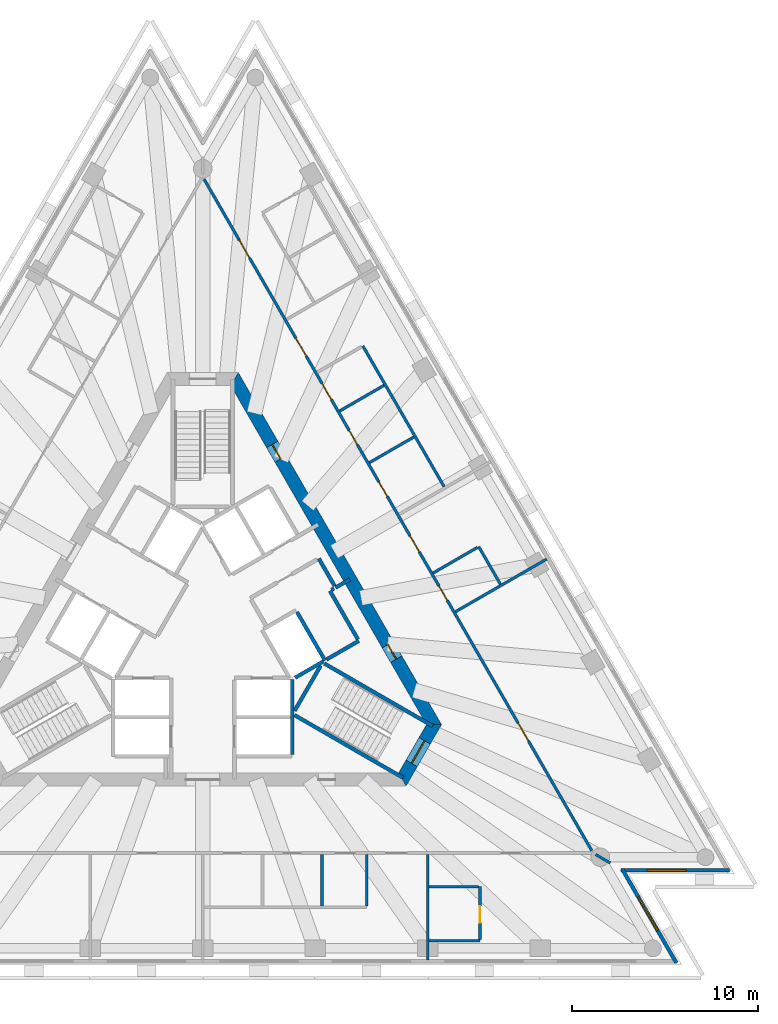
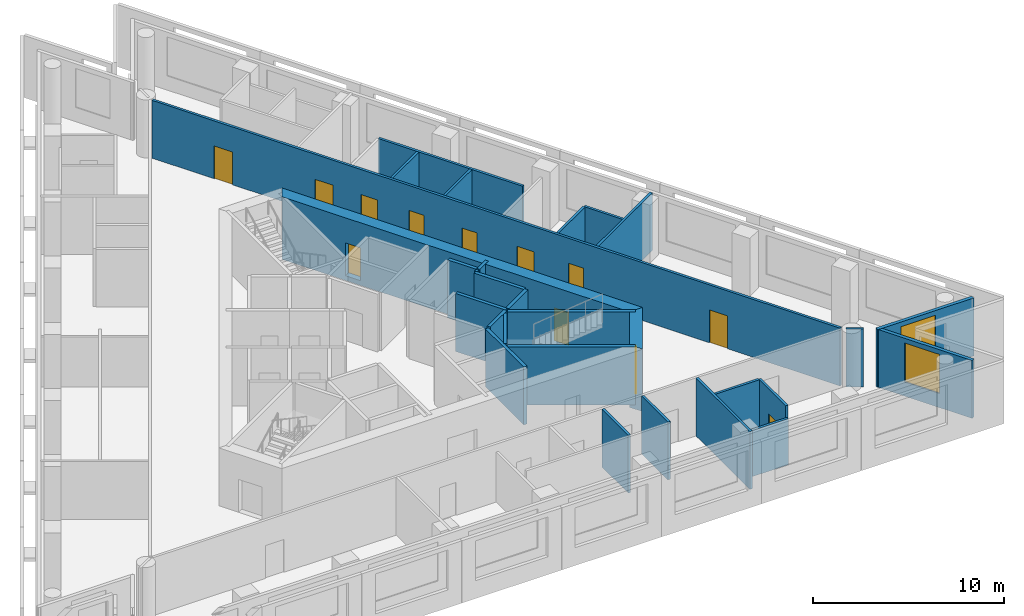
# One storey, part 5 of 9: 29 walls, 12 doors, 2 windows, 14 openings.
"""IFC4 building model written with IfcOpenShell, lengths in metres."""

import ifcopenshell
import ifcopenshell.guid

model = None  # the IFC model being written
_history = None  # IfcOwnerHistory: only IFC2X3 demands one
_inside = {}  # id of a spatial element -> (the spatial element, [elements in it])
_under = {}  # id of a project, library or spatial element -> (it, [spatial elements below it])
_declared = {}  # id of a project -> (the project, [libraries it declares])
_typed = {}  # id of a type object -> (the type object, [elements of that type])
_made_of = {}  # id of a material, layer set ... -> (it, [elements and type objects made of it])


def new_model(schema):
    """Start an empty IFC model of exactly this schema.

    Asked for "IFC4X3", IfcOpenShell would pick the latest addendum, in which some entities
    have other attributes; the version numbers below select the first issue.
    IFC2X3 requires an IfcOwnerHistory on every rooted entity: one is made here for all.
    """
    global model, _history
    if schema == "IFC4X3":
        model = ifcopenshell.file(schema_version=(4, 3, 0, 0))
    else:
        model = ifcopenshell.file(schema=schema)
    _inside.clear()
    _under.clear()
    _declared.clear()
    _typed.clear()
    _made_of.clear()
    _history = None
    if model.schema == "IFC2X3":
        org = make("IfcOrganization", Name="unknown")
        user = make(
            "IfcPersonAndOrganization",
            ThePerson=make("IfcPerson", FamilyName="unknown"),
            TheOrganization=org,
        )
        app = make(
            "IfcApplication",
            ApplicationDeveloper=org,
            Version="unknown",
            ApplicationFullName="unknown",
            ApplicationIdentifier="unknown",
        )
        _history = make(
            "IfcOwnerHistory",
            OwningUser=user,
            OwningApplication=app,
            ChangeAction="ADDED",
            CreationDate=0,
        )
    return model


def make(cls, **values):
    """One entity of the class cls with the attributes given. An attribute that is None is left unset."""
    return model.create_entity(
        cls, **{name: value for name, value in values.items() if value is not None}
    )


def rooted(cls, **values):
    """An entity with a GlobalId (a new one), such as an element, a storey or a relation."""
    return make(cls, GlobalId=ifcopenshell.guid.new(), OwnerHistory=_history, **values)


def si_unit(unit_type, name, prefix=None):
    """IfcSIUnit, for example si_unit("LENGTHUNIT", "METRE", prefix="MILLI")."""
    return make("IfcSIUnit", UnitType=unit_type, Prefix=prefix, Name=name)


def assignment(units):
    """IfcUnitAssignment: the units of a project."""
    return None if units is None else make("IfcUnitAssignment", Units=units)


def point(xyz):
    """IfcCartesianPoint."""
    return None if xyz is None else make("IfcCartesianPoint", Coordinates=xyz)


def direction(xyz):
    """IfcDirection."""
    return None if xyz is None else make("IfcDirection", DirectionRatios=xyz)


def frame(location, z_axis=None, x_axis=None):
    """IfcAxis2Placement3D, a coordinate frame: its origin and axes. An axis left out is left unset."""
    return make(
        "IfcAxis2Placement3D",
        Location=point(location),
        Axis=direction(z_axis),
        RefDirection=direction(x_axis),
    )


def frame_2d(location, x_axis=None):
    """IfcAxis2Placement2D, a coordinate frame in the plane: its origin and x axis."""
    return make(
        "IfcAxis2Placement2D", Location=point(location), RefDirection=direction(x_axis)
    )


def origin():
    """The frame at (0, 0, 0) with its axes left unset."""
    return frame((0.0, 0.0, 0.0))


def place(relative_to, where):
    """IfcLocalPlacement: puts the frame where relative to a parent placement (None: the world)."""
    return make(
        "IfcLocalPlacement", PlacementRelTo=relative_to, RelativePlacement=where
    )


def context(
    kind, dimensions, precision=None, world=None, true_north=None, identifier=None
):
    """IfcGeometricRepresentationContext, for example the 3D "Model" context."""
    return make(
        "IfcGeometricRepresentationContext",
        ContextIdentifier=identifier,
        ContextType=kind,
        CoordinateSpaceDimension=dimensions,
        Precision=precision,
        WorldCoordinateSystem=world,
        TrueNorth=true_north,
    )


def subcontext(parent, identifier, kind, view, scale=None):
    """IfcGeometricRepresentationSubContext, for example "Body" below "Model"."""
    return make(
        "IfcGeometricRepresentationSubContext",
        ContextIdentifier=identifier,
        ContextType=kind,
        ParentContext=parent,
        TargetScale=scale,
        TargetView=view,
    )


def project(units=None, contexts=None):
    """IfcProject with its units and contexts."""
    return rooted(
        "IfcProject",
        Name="project",
        RepresentationContexts=contexts,
        UnitsInContext=assignment(units),
    )


def spatial(cls, under=None, at=None, **own):
    """A site, building, storey or space (cls), placed at a placement, below another one or the project."""
    s = rooted(cls, ObjectPlacement=at, **own)
    if under is not None:
        _under.setdefault(under.id(), (under, []))[1].append(s)
    return s


def polyline(points):
    """IfcPolyline through the points."""
    return make("IfcPolyline", Points=[point(p) for p in points])


def profile(cls, at=None, kind="AREA", **sizes):
    """A parametric profile (cls). Its sizes go by their IFC names, for example OverallWidth=200.0."""
    return make(cls, ProfileType=kind, Position=at, **sizes)


def rectangle(**sizes):
    """IfcRectangleProfileDef."""
    return profile("IfcRectangleProfileDef", **sizes)


def outline(outer, holes=None, kind="AREA"):
    """IfcArbitraryClosedProfileDef: a profile drawn as a closed curve; with holes, ...WithVoids."""
    if holes is None:
        return make("IfcArbitraryClosedProfileDef", ProfileType=kind, OuterCurve=outer)
    return make(
        "IfcArbitraryProfileDefWithVoids",
        ProfileType=kind,
        OuterCurve=outer,
        InnerCurves=holes,
    )


def extrude(swept, where, along, depth):
    """IfcExtrudedAreaSolid: the profile swept, set in the frame where, extruded along a direction by depth."""
    return make(
        "IfcExtrudedAreaSolid",
        SweptArea=swept,
        Position=where,
        ExtrudedDirection=direction(along),
        Depth=depth,
    )


def shape(context_of_items, identifier, shape_type, items):
    """IfcShapeRepresentation: the items that make up one representation, for example the "Body"."""
    return make(
        "IfcShapeRepresentation",
        ContextOfItems=context_of_items,
        RepresentationIdentifier=identifier,
        RepresentationType=shape_type,
        Items=items,
    )


def material(Name=None, Category=None):
    """IfcMaterial."""
    return make("IfcMaterial", Name=Name, Category=Category)


def layer(
    of_material, thickness, ventilated=None, Name=None, Category=None, Priority=None
):
    """IfcMaterialLayer: one layer of a wall or slab, of a material (None: an air gap)."""
    return make(
        "IfcMaterialLayer",
        Material=of_material,
        LayerThickness=thickness,
        IsVentilated=ventilated,
        Name=Name,
        Category=Category,
        Priority=Priority,
    )


def layer_set(layers, Name=None):
    """IfcMaterialLayerSet."""
    return make("IfcMaterialLayerSet", MaterialLayers=layers, LayerSetName=Name)


def layer_usage(for_layer_set, set_direction, sense, offset, extent=None):
    """IfcMaterialLayerSetUsage: how a layer set lies in its element."""
    return make(
        "IfcMaterialLayerSetUsage",
        ForLayerSet=for_layer_set,
        LayerSetDirection=set_direction,
        DirectionSense=sense,
        OffsetFromReferenceLine=offset,
        ReferenceExtent=extent,
    )


def made_of(thing, what):
    """Note that an element or type object is made of a material, layer set ...; save() writes the relation."""
    if what is not None:
        _made_of.setdefault(what.id(), (what, []))[1].append(thing)
    return thing


def type_object(cls, material=None, **own):
    """A type object (cls), such as IfcWallType, which elements share."""
    return made_of(rooted(cls, **own), material)


def element(
    cls,
    number,
    at=None,
    inside=None,
    cuts=None,
    type_object=None,
    material=None,
    context=None,
    identifier="Body",
    shape_type=None,
    held_by="IfcProductDefinitionShape",
    body=None,
    shapes=None,
    **own,
):
    """One element of the class cls, such as IfcWall. Its Tag is "e" and its number.

    at: its placement. inside: the storey or other place that contains it. cuts: it is an
    opening in that element (IfcRelVoidsElement). A single representation is given by context,
    identifier, shape_type and body (its items); several are given by shapes. held_by: the class
    of the entity that holds the representations. save() writes the other relations.
    """
    e = rooted(cls, Tag="e%d" % number, ObjectPlacement=at, **own)
    if body is not None:
        shapes = [shape(context, identifier, shape_type, body)]
    if shapes is not None:
        e.Representation = make(held_by, Representations=shapes)
    if inside is not None:
        _inside.setdefault(inside.id(), (inside, []))[1].append(e)
    if cuts is not None:
        rooted(
            "IfcRelVoidsElement", RelatingBuildingElement=cuts, RelatedOpeningElement=e
        )
    if type_object is not None:
        _typed.setdefault(type_object.id(), (type_object, []))[1].append(e)
    return made_of(e, material)


def fill(opening, filler):
    """IfcRelFillsElement: the door or window that sits in an opening."""
    return rooted(
        "IfcRelFillsElement",
        RelatingOpeningElement=opening,
        RelatedBuildingElement=filler,
    )


def aggregate(whole, parts):
    """IfcRelAggregates: a whole, such as a stair, and the parts it consists of."""
    return rooted("IfcRelAggregates", RelatingObject=whole, RelatedObjects=parts)


def save(model, path):
    """Write the relations noted so far, then the file.

    IfcRelAggregates (storeys below a building ...), IfcRelContainedInSpatialStructure (elements
    in a storey), IfcRelDefinesByType, IfcRelAssociatesMaterial and IfcRelDeclares: one each for
    every whole, place, type object, material and project.
    """
    for whole, parts in _under.values():
        aggregate(whole, parts)
    for where, things in _inside.values():
        rooted(
            "IfcRelContainedInSpatialStructure",
            RelatedElements=things,
            RelatingStructure=where,
        )
    for kind, things in _typed.values():
        rooted("IfcRelDefinesByType", RelatedObjects=things, RelatingType=kind)
    for what, things in _made_of.values():
        rooted("IfcRelAssociatesMaterial", RelatedObjects=things, RelatingMaterial=what)
    for by, libraries in _declared.values():
        rooted("IfcRelDeclares", RelatingContext=by, RelatedDefinitions=libraries)
    model.write(path)


model = new_model("IFC4")

# Units and contexts
model_context = context("Model", 3, precision=1e-05, world=origin(), true_north=direction((0.0, 1.0)))
body_context = subcontext(model_context, "Body", "Model", "MODEL_VIEW")
ifc_project = project(units=[si_unit("LENGTHUNIT", "METRE"), si_unit("AREAUNIT", "SQUARE_METRE"), si_unit("VOLUMEUNIT", "CUBIC_METRE"), si_unit("PLANEANGLEUNIT", "RADIAN"), si_unit("MASSUNIT", "GRAM", prefix="KILO")], contexts=[model_context])

# Site, building, storey
site_placement = place(None, origin())
site = spatial("IfcSite", under=ifc_project, at=site_placement, CompositionType="ELEMENT")
building_placement = place(site_placement, origin())
building = spatial("IfcBuilding", under=site, at=building_placement, Name="Triada Interchange Tower", CompositionType="ELEMENT")
storey_placement = place(building_placement, frame((0.0, 0.0, 215.300048828125)))
storey = spatial("IfcBuildingStorey", under=building, at=storey_placement, Name="L50", CompositionType="ELEMENT", Elevation=215.300048828125)

# Walls
ifc_material_1 = material(Name="Concrete C30/37", Category="concrete")
ifc_layer_1 = layer(ifc_material_1, 0.199951171875)
ifc_layer_set_1 = layer_set([ifc_layer_1], Name="CORE WALL 200 EI 120")
wall_type_1 = type_object("IfcWallType", Name="CORE WALL 200 EI 120", PredefinedType="SOLIDWALL", material=ifc_layer_set_1)
wall_1_placement = place(storey_placement, frame((4.800048828125, -6.800048828125, 0.0), z_axis=(0.0, 0.0, 1.0), x_axis=(0.0, 1.0, 0.0)))
element("IfcWall", 1, at=wall_1_placement, inside=storey, type_object=wall_type_1, Name="Wall L50 56", PredefinedType="SOLIDWALL", context=body_context, shape_type="SweptSolid", body=[
    extrude(rectangle(XDim=4.031005859375, YDim=0.199951171875, at=frame_2d((2.015625, 0.0))), origin(), (0.0, 0.0, 1.0), 3.699951171875),
])
wall_2_placement = place(storey_placement, frame((7.12890625, 2.153076171875, 0.0), z_axis=(0.0, 0.0, 1.0), x_axis=(0.866083962871, 0.499898558967, 0.0)))
element("IfcWall", 2, at=wall_2_placement, inside=storey, type_object=wall_type_1, Name="Wall L50 58", PredefinedType="SOLIDWALL", context=body_context, shape_type="SweptSolid", body=[
    extrude(rectangle(XDim=0.880126953125, YDim=0.199951171875, at=frame_2d((0.43994140625, 0.0))), origin(), (0.0, 0.0, 1.0), 3.699951171875),
])
wall_3_placement = place(storey_placement, frame((5.056884765625, 0.841064453125, 0.0), z_axis=(0.0, 0.0, 1.0), x_axis=(0.499990139034, -0.866031096941, 0.0)))
element("IfcWall", 3, at=wall_3_placement, inside=storey, type_object=wall_type_1, Name="Wall L50 61", PredefinedType="SOLIDWALL", context=body_context, shape_type="SweptSolid", body=[
    extrude(rectangle(XDim=3.0, YDim=0.199951171875, at=frame_2d((1.5, 0.0))), origin(), (0.0, 0.0, 1.0), 3.699951171875),
])
wall_4_placement = place(storey_placement, frame((4.962890625, -2.677001953125, 0.0), z_axis=(0.0, 0.0, 1.0), x_axis=(0.866024383922, 0.50000176645, 0.0)))
element("IfcWall", 4, at=wall_4_placement, inside=storey, type_object=wall_type_1, Name="Wall L50 62", PredefinedType="SOLIDWALL", context=body_context, shape_type="SweptSolid", body=[
    extrude(rectangle(XDim=1.740234375, YDim=0.199951171875, at=frame_2d((0.8701171875, 0.0))), origin(), (0.0, 0.0, 1.0), 3.699951171875),
])
wall_5_placement = place(storey_placement, frame((6.22900390625, 3.7119140625, 0.0), z_axis=(0.0, 0.0, 1.0), x_axis=(0.499875724984, -0.86609714211, 0.0)))
element("IfcWall", 5, at=wall_5_placement, inside=storey, type_object=wall_type_1, Name="Wall L50 63", PredefinedType="SOLIDWALL", context=body_context, shape_type="SweptSolid", body=[
    extrude(rectangle(XDim=1.70068359375, YDim=0.199951171875, at=frame_2d((0.850341796875, 0.0))), origin(), (0.0, 0.0, 1.0), 3.699951171875),
])
ifc_layer_2 = layer(ifc_material_1, 0.199951171875)
ifc_layer_set_2 = layer_set([ifc_layer_2], Name="CORE WALL 200 EI 90")
wall_type_2 = type_object("IfcWallType", Name="CORE WALL 200 EI 90", PredefinedType="SOLIDWALL", material=ifc_layer_set_2)
wall_6_placement = place(storey_placement, frame((6.64208984375, -1.7080078125, 0.0), z_axis=(0.0, 0.0, 1.0), x_axis=(0.866043441391, 0.499968756647, 0.0)))
element("IfcWall", 6, at=wall_6_placement, inside=storey, type_object=wall_type_2, Name="Wall L50 83", PredefinedType="SOLIDWALL", context=body_context, shape_type="SweptSolid", body=[
    extrude(rectangle(XDim=2.002197265625, YDim=0.199951171875, at=frame_2d((1.0009765625, 0.0))), origin(), (0.0, 0.0, 1.0), 3.699951171875),
])
wall_7_placement = place(storey_placement, frame((6.825927734375, 1.97802734375, 0.0), z_axis=(0.0, 0.0, 1.0), x_axis=(0.499990139034, -0.866031096941, 0.0)))
element("IfcWall", 7, at=wall_7_placement, inside=storey, type_object=wall_type_2, Name="Wall L50 84", PredefinedType="SOLIDWALL", context=body_context, shape_type="SweptSolid", body=[
    extrude(rectangle(XDim=3.0, YDim=0.199951171875, at=frame_2d((1.5, 0.0))), origin(), (0.0, 0.0, 1.0), 3.699951171875),
])
wall_8_placement = place(storey_placement, frame((6.912109375, 2.028076171875, 0.0), z_axis=(0.0, 0.0, 1.0), x_axis=(0.866559367082, 0.499074005857, 0.0)))
element("IfcWall", 8, at=wall_8_placement, inside=storey, type_object=wall_type_2, Name="Wall L50 85", PredefinedType="SOLIDWALL", context=body_context, shape_type="SweptSolid", body=[
    extrude(rectangle(XDim=0.152099609375, YDim=0.199951171875, at=frame_2d((0.076171875, 0.0))), origin(), (0.0, 0.0, 1.0), 3.699951171875),
])
ifc_layer_3 = layer(ifc_material_1, 0.199951171875)
ifc_layer_set_3 = layer_set([ifc_layer_3], Name="CORE WALL 200 REI 240")
wall_type_3 = type_object("IfcWallType", Name="CORE WALL 200 REI 240", PredefinedType="SOLIDWALL", material=ifc_layer_set_3)
wall_9_placement = place(storey_placement, frame((4.928955078125, -4.4619140625, 0.0), z_axis=(0.0, 0.0, 1.0), x_axis=(0.500200581029, 0.865909567298, 0.0)))
element("IfcWall", 9, at=wall_9_placement, inside=storey, type_object=wall_type_3, Name="Wall L50 92", PredefinedType="SOLIDWALL", context=body_context, shape_type="SweptSolid", body=[
    extrude(rectangle(XDim=2.799072265625, YDim=0.199951171875, at=frame_2d((1.3994140625, 0.0))), origin(), (0.0, 0.0, 1.0), 3.699951171875),
])
wall_10_placement = place(storey_placement, frame((6.529052734375, -1.922119140625, 0.0), z_axis=(0.0, 0.0, 1.0), x_axis=(0.866046323291, -0.499963764601, 0.0)))
element("IfcWall", 10, at=wall_10_placement, inside=storey, type_object=wall_type_3, Name="Wall L50 93", PredefinedType="SOLIDWALL", context=body_context, shape_type="SweptSolid", body=[
    extrude(rectangle(XDim=6.71435546875, YDim=0.199951171875, at=frame_2d((3.357177734375, 0.0))), origin(), (0.0, 0.0, 1.0), 3.699951171875),
])
wall_11_placement = place(storey_placement, frame((4.928955078125, -4.693115234375, 0.0), z_axis=(0.0, 0.0, 1.0), x_axis=(0.865983344943, -0.500072840975, 0.0)))
element("IfcWall", 11, at=wall_11_placement, inside=storey, type_object=wall_type_3, Name="Wall L50 94", PredefinedType="SOLIDWALL", context=body_context, shape_type="SweptSolid", body=[
    extrude(rectangle(XDim=6.71484375, YDim=0.199951171875, at=frame_2d((3.357421875, 0.0))), origin(), (0.0, 0.0, 1.0), 3.699951171875),
])

# Wall, opening, door
ifc_material_2 = material(Name="Concrete C50/60", Category="concrete")
ifc_layer_4 = layer(ifc_material_2, 0.699951171875)
ifc_layer_set_4 = layer_set([ifc_layer_4], Name="Core wall C 700")
wall_type_4 = type_object("IfcWallType", Name="Core wall C 700", PredefinedType="SHEAR", material=ifc_layer_set_4)
wall_12_placement = place(storey_placement, frame((10.7099609375, -8.14990234375, -0.300048828125), z_axis=(0.0, 0.0, 1.0), x_axis=(0.49999337185, 0.866029230515, 0.0)))
wall_12 = element("IfcWall", 12, at=wall_12_placement, inside=storey, type_object=wall_type_4, Name="Core wall WC05 L50", PredefinedType="SHEAR", context=body_context, shape_type="SweptSolid", body=[
    extrude(outline(polyline([(-0.201904296875, -0.35009765625), (1.703125, -0.35009765625), (3.60791015625, -0.35009765625), (3.2041015625, 0.35009765625), (1.703125, 0.35009765625), (0.201904296875, 0.35009765625), (-0.201904296875, -0.35009765625)])), origin(), (0.0, 0.0, 1.0), 4.0),
])
opening_1_placement = place(wall_12_placement, frame((1.0029296875, 0.0, 0.300048828125)))
opening_1 = element("IfcOpeningElement", 13, at=opening_1_placement, cuts=wall_12, Name="Opening D50-41", PredefinedType="OPENING", context=body_context, shape_type="SweptSolid", body=[
    extrude(rectangle(XDim=1.39990234375, YDim=2.10009765625, at=frame_2d((0.699951171875, 1.050048828125))), frame((0.0, 0.360107421875, 0.0), z_axis=(0.0, -1.0, 0.0), x_axis=(1.0, 0.0, 0.0)), (0.0, 0.0, 1.0), 0.72021484375),
])
ifc_material_3 = material(Name="Steel S235 door leaf", Category="steel")
door_type_1 = type_object("IfcDoorType", Name="STAIR DOOR 1400 EI2 90-C5S200", OperationType="DOUBLE_DOOR_SINGLE_SWING", PredefinedType="DOOR", material=ifc_material_3)
door_1_placement = place(opening_1_placement, origin())
door_1 = element("IfcDoor", 14, at=door_1_placement, inside=storey, type_object=door_type_1, Name="Door D50-41 L50", OperationType="DOUBLE_DOOR_SINGLE_SWING", OverallHeight=2.10009765625, OverallWidth=1.39990234375, PredefinedType="DOOR", context=body_context, shape_type="SweptSolid", body=[
    extrude(rectangle(XDim=1.39990234375, YDim=2.10009765625, at=frame_2d((0.699951171875, 1.050048828125))), frame((0.0, 0.02490234375, 0.0), z_axis=(0.0, -1.0, 0.0), x_axis=(1.0, 0.0, 0.0)), (0.0, 0.0, 1.0), 0.050048828125),
])
fill(opening_1, door_1)

# Wall, openings, doors
wall_13_placement = place(storey_placement, frame((12.4130859375, -5.199951171875, -0.300048828125), z_axis=(0.0, 0.0, 1.0), x_axis=(-0.500011533395, 0.866018744874, 0.0)))
wall_13 = element("IfcWall", 15, at=wall_13_placement, inside=storey, type_object=wall_type_4, Name="Core wall WC06 L50", PredefinedType="SHEAR", context=body_context, shape_type="SweptSolid", body=[
    extrude(outline(polyline([(-0.201904296875, -0.35009765625), (1.781982421875, -0.35009765625), (3.76611328125, -0.35009765625), (5.75, -0.35009765625), (7.734130859375, -0.35009765625), (9.718017578125, -0.35009765625), (11.7021484375, -0.35009765625), (13.68603515625, -0.35009765625), (15.670166015625, -0.35009765625), (17.654052734375, -0.35009765625), (19.63818359375, -0.35009765625), (21.6220703125, -0.35009765625), (21.218017578125, 0.35009765625), (19.307373046875, 0.35009765625), (17.39697265625, 0.35009765625), (15.486328125, 0.35009765625), (13.57568359375, 0.35009765625), (11.665283203125, 0.35009765625), (9.754638671875, 0.35009765625), (7.84423828125, 0.35009765625), (5.93359375, 0.35009765625), (4.02294921875, 0.35009765625), (2.112548828125, 0.35009765625), (0.201904296875, 0.35009765625), (-0.201904296875, -0.35009765625)])), origin(), (0.0, 0.0, 1.0), 4.0),
])
opening_2_placement = place(wall_13_placement, frame((4.054931640625, 0.0, 0.300048828125)))
opening_2 = element("IfcOpeningElement", 16, at=opening_2_placement, cuts=wall_13, Name="Opening D50-45", PredefinedType="OPENING", context=body_context, shape_type="SweptSolid", body=[
    extrude(rectangle(XDim=0.89990234375, YDim=2.10009765625, at=frame_2d((0.449951171875, 1.050048828125))), frame((0.0, 0.360107421875, 0.0), z_axis=(0.0, -1.0, 0.0), x_axis=(1.0, 0.0, 0.0)), (0.0, 0.0, 1.0), 0.72021484375),
])
opening_3_placement = place(wall_13_placement, frame((16.465087890625, 0.0, 0.300048828125)))
opening_3 = element("IfcOpeningElement", 17, at=opening_3_placement, cuts=wall_13, Name="Opening D50-47", PredefinedType="OPENING", context=body_context, shape_type="SweptSolid", body=[
    extrude(rectangle(XDim=0.89990234375, YDim=2.10009765625, at=frame_2d((0.449951171875, 1.050048828125))), frame((0.0, 0.360107421875, 0.0), z_axis=(0.0, -1.0, 0.0), x_axis=(1.0, 0.0, 0.0)), (0.0, 0.0, 1.0), 0.72021484375),
])
door_type_2 = type_object("IfcDoorType", Name="RISER ACCESS DOOR 900 EI2 45-C5S200", OperationType="NOTDEFINED", PredefinedType="DOOR", material=ifc_material_3)
door_2_placement = place(opening_3_placement, origin())
door_2 = element("IfcDoor", 18, at=door_2_placement, inside=storey, type_object=door_type_2, Name="Door D50-47 L50", OperationType="SINGLE_SWING_RIGHT", OverallHeight=2.10009765625, OverallWidth=0.89990234375, PredefinedType="DOOR", context=body_context, shape_type="SweptSolid", body=[
    extrude(rectangle(XDim=0.89990234375, YDim=2.10009765625, at=frame_2d((0.449951171875, 1.050048828125))), frame((0.0, 0.02490234375, 0.0), z_axis=(0.0, -1.0, 0.0), x_axis=(1.0, 0.0, 0.0)), (0.0, 0.0, 1.0), 0.050048828125),
])
fill(opening_3, door_2)
door_type_3 = type_object("IfcDoorType", Name="SERVICE DOOR 900 EI2 45-C5S200", OperationType="NOTDEFINED", PredefinedType="DOOR", material=ifc_material_3)
door_3_placement = place(opening_2_placement, origin())
door_3 = element("IfcDoor", 19, at=door_3_placement, inside=storey, type_object=door_type_3, Name="Door D50-45 L50", OperationType="SINGLE_SWING_RIGHT", OverallHeight=2.10009765625, OverallWidth=0.89990234375, PredefinedType="DOOR", context=body_context, shape_type="SweptSolid", body=[
    extrude(rectangle(XDim=0.89990234375, YDim=2.10009765625, at=frame_2d((0.449951171875, 1.050048828125))), frame((0.0, 0.02490234375, 0.0), z_axis=(0.0, -1.0, 0.0), x_axis=(1.0, 0.0, 0.0)), (0.0, 0.0, 1.0), 0.050048828125),
])
fill(opening_2, door_3)

# Wall, opening, window
ifc_material_4 = material(Name="Cement board")
ifc_layer_5 = layer(ifc_material_4, 0.02001953125, Name="Cement board cladding")
ifc_material_5 = material(Name="Sheathing board")
ifc_layer_6 = layer(ifc_material_5, 0.014892578125, Name="Sheathing board")
ifc_material_6 = material(Name="Mineral wool")
ifc_layer_7 = layer(ifc_material_6, 0.14990234375, Name="Mineral wool between steel studs")
ifc_material_7 = material(Name="Gypsum board")
ifc_layer_8 = layer(ifc_material_7, 0.014892578125, Name="Plasterboard lining")
ifc_layer_set_5 = layer_set([ifc_layer_5, ifc_layer_6, ifc_layer_7, ifc_layer_8], Name="External wall 200")
ifc_layer_usage = layer_usage(ifc_layer_set_5, "AXIS2", "POSITIVE", -0.10009765625)
wall_type_5 = type_object("IfcWallType", Name="External wall 200", PredefinedType="ELEMENTEDWALL", material=ifc_layer_set_5)
wall_14_placement = place(storey_placement, frame((25.419921875, -17.988037109375, 0.0), z_axis=(0.0, 0.0, 1.0), x_axis=(-0.499910499212, 0.866077070922, 0.0)))
wall_14 = element("IfcWall", 20, at=wall_14_placement, inside=storey, type_object=wall_type_5, material=ifc_layer_usage, Name="External wall L50 SE-1", PredefinedType="ELEMENTEDWALL", context=body_context, shape_type="SweptSolid", body=[
    extrude(rectangle(XDim=5.806640625, YDim=0.199951171875, at=frame_2d((2.9033203125, 0.0))), origin(), (0.0, 0.0, 1.0), 3.699951171875),
])
opening_4_placement = place(wall_14_placement, frame((1.989990234375, 0.0, 0.89990234375)))
opening_4 = element("IfcOpeningElement", 21, at=opening_4_placement, cuts=wall_14, Name="Opening WC19", PredefinedType="OPENING", context=body_context, shape_type="SweptSolid", body=[
    extrude(rectangle(XDim=2.10009765625, YDim=2.5, at=frame_2d((1.050048828125, 1.25))), frame((0.0, 0.10986328125, 0.0), z_axis=(0.0, -1.0, 0.0), x_axis=(1.0, 0.0, 0.0)), (0.0, 0.0, 1.0), 0.219970703125),
])
ifc_material_8 = material(Name="Double glazed aluminium window", Category="aluminium")
window_type = type_object("IfcWindowType", Name="Ribbon window C pocket", PartitioningType="SINGLE_PANEL", PredefinedType="WINDOW", material=ifc_material_8)
window_1_placement = place(opening_4_placement, origin())
window_1 = element("IfcWindow", 22, at=window_1_placement, inside=storey, type_object=window_type, Name="Window L50 SE-1 1", OverallHeight=2.5, OverallWidth=2.10009765625, PartitioningType="SINGLE_PANEL", PredefinedType="WINDOW", context=body_context, shape_type="SweptSolid", body=[
    extrude(rectangle(XDim=2.10009765625, YDim=2.5, at=frame_2d((1.050048828125, 1.25))), frame((0.0, 0.030029296875, 0.0), z_axis=(0.0, -1.0, 0.0), x_axis=(1.0, 0.0, 0.0)), (0.0, 0.0, 1.0), 0.06005859375),
])
fill(opening_4, window_1)

wall_15_placement = place(storey_placement, frame((22.4619140625, -13.02001953125, 0.0), z_axis=(0.0, 0.0, 1.0), x_axis=(1.0, 0.0, 0.0)))
wall_15 = element("IfcWall", 23, at=wall_15_placement, inside=storey, type_object=wall_type_5, material=ifc_layer_usage, Name="External wall L50 SE-2", PredefinedType="ELEMENTEDWALL", context=body_context, shape_type="SweptSolid", body=[
    extrude(rectangle(XDim=5.80615234375, YDim=0.199951171875, at=frame_2d((2.903076171875, 0.0))), origin(), (0.0, 0.0, 1.0), 3.699951171875),
])
opening_5_placement = place(wall_15_placement, frame((1.389892578125, 0.0, 0.89990234375)))
opening_5 = element("IfcOpeningElement", 24, at=opening_5_placement, cuts=wall_15, Name="Opening WC20", PredefinedType="OPENING", context=body_context, shape_type="SweptSolid", body=[
    extrude(rectangle(XDim=2.10009765625, YDim=2.5, at=frame_2d((1.050048828125, 1.25))), frame((0.0, 0.10986328125, 0.0), z_axis=(0.0, -1.0, 0.0), x_axis=(1.0, 0.0, 0.0)), (0.0, 0.0, 1.0), 0.219970703125),
])
window_2_placement = place(opening_5_placement, origin())
window_2 = element("IfcWindow", 25, at=window_2_placement, inside=storey, type_object=window_type, Name="Window L50 SE-2 1", OverallHeight=2.5, OverallWidth=2.10009765625, PartitioningType="SINGLE_PANEL", PredefinedType="WINDOW", context=body_context, shape_type="SweptSolid", body=[
    extrude(rectangle(XDim=2.10009765625, YDim=2.5, at=frame_2d((1.050048828125, 1.25))), frame((0.0, 0.030029296875, 0.0), z_axis=(0.0, -1.0, 0.0), x_axis=(1.0, 0.0, 0.0)), (0.0, 0.0, 1.0), 0.06005859375),
])
fill(opening_5, window_2)

# Wall
ifc_material_9 = material(Name="Gypsum board partition")
ifc_layer_9 = layer(ifc_material_9, 0.14990234375)
ifc_layer_set_6 = layer_set([ifc_layer_9], Name="PARTITION 150 EI 180")
wall_type_6 = type_object("IfcWallType", Name="PARTITION 150 EI 180", PredefinedType="PARTITIONING", material=ifc_layer_set_6)
wall_16_placement = place(storey_placement, frame((21.0869140625, -12.175048828125, 0.0), z_axis=(0.0, 0.0, 1.0), x_axis=(0.866372959518, -0.499397532049, 0.0)))
element("IfcWall", 26, at=wall_16_placement, inside=storey, type_object=wall_type_6, Name="Wall L50 7", PredefinedType="PARTITIONING", context=body_context, shape_type="SweptSolid", body=[
    extrude(rectangle(XDim=0.91064453125, YDim=0.14990234375, at=frame_2d((0.455322265625, 0.0))), origin(), (0.0, 0.0, 1.0), 3.699951171875),
])

# Wall, openings, doors
wall_17_placement = place(storey_placement, frame((0.074951171875, 24.070068359375, 0.0), z_axis=(0.0, 0.0, 1.0), x_axis=(0.500006834213, -0.866021458014, 0.0)))
wall_17 = element("IfcWall", 27, at=wall_17_placement, inside=storey, type_object=wall_type_6, Name="Wall L50 16", PredefinedType="PARTITIONING", context=body_context, shape_type="SweptSolid", body=[
    extrude(rectangle(XDim=41.61572265625, YDim=0.14990234375, at=frame_2d((20.807861328125, 0.0))), origin(), (0.0, 0.0, 1.0), 3.699951171875),
])
opening_6_placement = place(wall_17_placement, frame((33.715087890625, 0.0, 0.0)))
opening_6 = element("IfcOpeningElement", 28, at=opening_6_placement, cuts=wall_17, Name="Opening D50-19", PredefinedType="OPENING", context=body_context, shape_type="SweptSolid", body=[
    extrude(rectangle(XDim=1.10009765625, YDim=2.10009765625, at=frame_2d((0.550048828125, 1.050048828125))), frame((0.0, 0.0849609375, 0.0), z_axis=(0.0, -1.0, 0.0), x_axis=(1.0, 0.0, 0.0)), (0.0, 0.0, 1.0), 0.169921875),
])
opening_7_placement = place(wall_17_placement, frame((22.097900390625, 0.0, 0.0)))
opening_7 = element("IfcOpeningElement", 29, at=opening_7_placement, cuts=wall_17, Name="Opening D50-20", PredefinedType="OPENING", context=body_context, shape_type="SweptSolid", body=[
    extrude(rectangle(XDim=1.0, YDim=2.10009765625, at=frame_2d((0.5, 1.050048828125))), frame((0.0, 0.0849609375, 0.0), z_axis=(0.0, -1.0, 0.0), x_axis=(1.0, 0.0, 0.0)), (0.0, 0.0, 1.0), 0.169921875),
])
opening_8_placement = place(wall_17_placement, frame((25.197998046875, 0.0, 0.0)))
opening_8 = element("IfcOpeningElement", 30, at=opening_8_placement, cuts=wall_17, Name="Opening D50-21", PredefinedType="OPENING", context=body_context, shape_type="SweptSolid", body=[
    extrude(rectangle(XDim=0.89990234375, YDim=2.10009765625, at=frame_2d((0.449951171875, 1.050048828125))), frame((0.0, 0.0849609375, 0.0), z_axis=(0.0, -1.0, 0.0), x_axis=(1.0, 0.0, 0.0)), (0.0, 0.0, 1.0), 0.169921875),
])
opening_9_placement = place(wall_17_placement, frame((9.85791015625, 0.0, 0.0)))
opening_9 = element("IfcOpeningElement", 31, at=opening_9_placement, cuts=wall_17, Name="Opening D50-22", PredefinedType="OPENING", context=body_context, shape_type="SweptSolid", body=[
    extrude(rectangle(XDim=1.10009765625, YDim=2.10009765625, at=frame_2d((0.550048828125, 1.050048828125))), frame((0.0, 0.0849609375, 0.0), z_axis=(0.0, -1.0, 0.0), x_axis=(1.0, 0.0, 0.0)), (0.0, 0.0, 1.0), 0.169921875),
])
opening_10_placement = place(wall_17_placement, frame((18.758056640625, 0.0, 0.0)))
opening_10 = element("IfcOpeningElement", 32, at=opening_10_placement, cuts=wall_17, Name="Opening D50-23", PredefinedType="OPENING", context=body_context, shape_type="SweptSolid", body=[
    extrude(rectangle(XDim=0.89990234375, YDim=2.10009765625, at=frame_2d((0.449951171875, 1.050048828125))), frame((0.0, 0.0849609375, 0.0), z_axis=(0.0, -1.0, 0.0), x_axis=(1.0, 0.0, 0.0)), (0.0, 0.0, 1.0), 0.169921875),
])
opening_11_placement = place(wall_17_placement, frame((15.55810546875, 0.0, 0.0)))
opening_11 = element("IfcOpeningElement", 33, at=opening_11_placement, cuts=wall_17, Name="Opening D50-24", PredefinedType="OPENING", context=body_context, shape_type="SweptSolid", body=[
    extrude(rectangle(XDim=0.89990234375, YDim=2.10009765625, at=frame_2d((0.449951171875, 1.050048828125))), frame((0.0, 0.0849609375, 0.0), z_axis=(0.0, -1.0, 0.0), x_axis=(1.0, 0.0, 0.0)), (0.0, 0.0, 1.0), 0.169921875),
])
opening_12_placement = place(wall_17_placement, frame((12.657958984375, 0.0, 0.0)))
opening_12 = element("IfcOpeningElement", 34, at=opening_12_placement, cuts=wall_17, Name="Opening D50-25", PredefinedType="OPENING", context=body_context, shape_type="SweptSolid", body=[
    extrude(rectangle(XDim=1.0, YDim=2.10009765625, at=frame_2d((0.5, 1.050048828125))), frame((0.0, 0.0849609375, 0.0), z_axis=(0.0, -1.0, 0.0), x_axis=(1.0, 0.0, 0.0)), (0.0, 0.0, 1.0), 0.169921875),
])
opening_13_placement = place(wall_17_placement, frame((3.77587890625, 0.0, 0.0)))
opening_13 = element("IfcOpeningElement", 35, at=opening_13_placement, cuts=wall_17, Name="Opening D50-26", PredefinedType="OPENING", context=body_context, shape_type="SweptSolid", body=[
    extrude(rectangle(XDim=1.10009765625, YDim=2.10009765625, at=frame_2d((0.550048828125, 1.050048828125))), frame((0.0, 0.0849609375, 0.0), z_axis=(0.0, -1.0, 0.0), x_axis=(1.0, 0.0, 0.0)), (0.0, 0.0, 1.0), 0.169921875),
])
door_type_4 = type_object("IfcDoorType", Name="ROOM DOOR 1000 EI2 90-C5S200", OperationType="NOTDEFINED", PredefinedType="DOOR", material=ifc_material_3)
door_4_placement = place(opening_7_placement, origin())
door_4 = element("IfcDoor", 36, at=door_4_placement, inside=storey, type_object=door_type_4, Name="Door D50-20 L50", OperationType="SINGLE_SWING_RIGHT", OverallHeight=2.10009765625, OverallWidth=1.0, PredefinedType="DOOR", context=body_context, shape_type="SweptSolid", body=[
    extrude(rectangle(XDim=1.0, YDim=2.10009765625, at=frame_2d((0.5, 1.050048828125))), frame((0.0, 0.02490234375, 0.0), z_axis=(0.0, -1.0, 0.0), x_axis=(1.0, 0.0, 0.0)), (0.0, 0.0, 1.0), 0.050048828125),
])
fill(opening_7, door_4)
door_5_placement = place(opening_12_placement, origin())
door_5 = element("IfcDoor", 37, at=door_5_placement, inside=storey, type_object=door_type_4, Name="Door D50-25 L50", OperationType="SINGLE_SWING_RIGHT", OverallHeight=2.10009765625, OverallWidth=1.0, PredefinedType="DOOR", context=body_context, shape_type="SweptSolid", body=[
    extrude(rectangle(XDim=1.0, YDim=2.10009765625, at=frame_2d((0.5, 1.050048828125))), frame((0.0, 0.02490234375, 0.0), z_axis=(0.0, -1.0, 0.0), x_axis=(1.0, 0.0, 0.0)), (0.0, 0.0, 1.0), 0.050048828125),
])
fill(opening_12, door_5)
door_type_5 = type_object("IfcDoorType", Name="ROOM DOOR 900 EI2 90-C5S200", OperationType="NOTDEFINED", PredefinedType="DOOR", material=ifc_material_3)
door_6_placement = place(opening_10_placement, origin())
door_6 = element("IfcDoor", 38, at=door_6_placement, inside=storey, type_object=door_type_5, Name="Door D50-23 L50", OperationType="SINGLE_SWING_RIGHT", OverallHeight=2.10009765625, OverallWidth=0.89990234375, PredefinedType="DOOR", context=body_context, shape_type="SweptSolid", body=[
    extrude(rectangle(XDim=0.89990234375, YDim=2.10009765625, at=frame_2d((0.449951171875, 1.050048828125))), frame((0.0, 0.02490234375, 0.0), z_axis=(0.0, -1.0, 0.0), x_axis=(1.0, 0.0, 0.0)), (0.0, 0.0, 1.0), 0.050048828125),
])
fill(opening_10, door_6)
door_7_placement = place(opening_11_placement, origin())
door_7 = element("IfcDoor", 39, at=door_7_placement, inside=storey, type_object=door_type_5, Name="Door D50-24 L50", OperationType="SINGLE_SWING_LEFT", OverallHeight=2.10009765625, OverallWidth=0.89990234375, PredefinedType="DOOR", context=body_context, shape_type="SweptSolid", body=[
    extrude(rectangle(XDim=0.89990234375, YDim=2.10009765625, at=frame_2d((0.449951171875, 1.050048828125))), frame((0.0, 0.02490234375, 0.0), z_axis=(0.0, -1.0, 0.0), x_axis=(1.0, 0.0, 0.0)), (0.0, 0.0, 1.0), 0.050048828125),
])
fill(opening_11, door_7)
door_type_6 = type_object("IfcDoorType", Name="SERVICE DOOR 900 EI2 90-C5S200", OperationType="NOTDEFINED", PredefinedType="DOOR", material=ifc_material_3)
door_8_placement = place(opening_8_placement, origin())
door_8 = element("IfcDoor", 40, at=door_8_placement, inside=storey, type_object=door_type_6, Name="Door D50-21 L50", OperationType="SINGLE_SWING_LEFT", OverallHeight=2.10009765625, OverallWidth=0.89990234375, PredefinedType="DOOR", context=body_context, shape_type="SweptSolid", body=[
    extrude(rectangle(XDim=0.89990234375, YDim=2.10009765625, at=frame_2d((0.449951171875, 1.050048828125))), frame((0.0, 0.02490234375, 0.0), z_axis=(0.0, -1.0, 0.0), x_axis=(1.0, 0.0, 0.0)), (0.0, 0.0, 1.0), 0.050048828125),
])
fill(opening_8, door_8)
door_type_7 = type_object("IfcDoorType", Name="TENANCY ENTRANCE DOOR 1100 EI2 90-C5S200", OperationType="NOTDEFINED", PredefinedType="DOOR", material=ifc_material_3)
door_9_placement = place(opening_6_placement, origin())
door_9 = element("IfcDoor", 41, at=door_9_placement, inside=storey, type_object=door_type_7, Name="Door D50-19 L50", OperationType="SINGLE_SWING_RIGHT", OverallHeight=2.10009765625, OverallWidth=1.10009765625, PredefinedType="DOOR", context=body_context, shape_type="SweptSolid", body=[
    extrude(rectangle(XDim=1.10009765625, YDim=2.10009765625, at=frame_2d((0.550048828125, 1.050048828125))), frame((0.0, 0.02490234375, 0.0), z_axis=(0.0, -1.0, 0.0), x_axis=(1.0, 0.0, 0.0)), (0.0, 0.0, 1.0), 0.050048828125),
])
fill(opening_6, door_9)
door_10_placement = place(opening_9_placement, origin())
door_10 = element("IfcDoor", 42, at=door_10_placement, inside=storey, type_object=door_type_7, Name="Door D50-22 L50", OperationType="SINGLE_SWING_LEFT", OverallHeight=2.10009765625, OverallWidth=1.10009765625, PredefinedType="DOOR", context=body_context, shape_type="SweptSolid", body=[
    extrude(rectangle(XDim=1.10009765625, YDim=2.10009765625, at=frame_2d((0.550048828125, 1.050048828125))), frame((0.0, 0.02490234375, 0.0), z_axis=(0.0, -1.0, 0.0), x_axis=(1.0, 0.0, 0.0)), (0.0, 0.0, 1.0), 0.050048828125),
])
fill(opening_9, door_10)
door_11_placement = place(opening_13_placement, origin())
door_11 = element("IfcDoor", 43, at=door_11_placement, inside=storey, type_object=door_type_7, Name="Door D50-26 L50", OperationType="SINGLE_SWING_LEFT", OverallHeight=2.10009765625, OverallWidth=1.10009765625, PredefinedType="DOOR", context=body_context, shape_type="SweptSolid", body=[
    extrude(rectangle(XDim=1.10009765625, YDim=2.10009765625, at=frame_2d((0.550048828125, 1.050048828125))), frame((0.0, 0.02490234375, 0.0), z_axis=(0.0, -1.0, 0.0), x_axis=(1.0, 0.0, 0.0)), (0.0, 0.0, 1.0), 0.050048828125),
])
fill(opening_13, door_11)

# Walls
wall_18_placement = place(storey_placement, frame((8.594970703125, 15.1240234375, 0.0), z_axis=(0.0, 0.0, 1.0), x_axis=(0.499970334739, -0.866042530354, 0.0)))
element("IfcWall", 44, at=wall_18_placement, inside=storey, type_object=wall_type_6, Name="Wall L50 19", PredefinedType="PARTITIONING", context=body_context, shape_type="SweptSolid", body=[
    extrude(rectangle(XDim=8.724609375, YDim=0.14990234375, at=frame_2d((4.3623046875, 0.0))), origin(), (0.0, 0.0, 1.0), 3.699951171875),
])
wall_19_placement = place(storey_placement, frame((14.81494140625, 4.35009765625, 0.0), z_axis=(0.0, 0.0, 1.0), x_axis=(0.499934593286, -0.866063163075, 0.0)))
element("IfcWall", 45, at=wall_19_placement, inside=storey, type_object=wall_type_6, Name="Wall L50 20", PredefinedType="PARTITIONING", context=body_context, shape_type="SweptSolid", body=[
    extrude(rectangle(XDim=2.324462890625, YDim=0.14990234375, at=frame_2d((1.162109375, 0.0))), origin(), (0.0, 0.0, 1.0), 3.699951171875),
])
for number, where, z_axis, x_axis, name in (
    (46, (8.800048828125, -14.929931640625, 0.0), (0.0, 0.0, 1.0), (0.0, 1.0, 0.0), "Wall L50 22"),
    (47, (6.39990234375, -14.929931640625, 0.0), (0.0, 0.0, 1.0), (0.0, 1.0, 0.0), "Wall L50 23"),
):
    element("IfcWall", number, at=place(storey_placement, frame(where, z_axis=z_axis, x_axis=x_axis)), inside=storey, type_object=wall_type_6, Name=name, PredefinedType="PARTITIONING", context=body_context, shape_type="SweptSolid", body=[
        extrude(rectangle(XDim=2.7548828125, YDim=0.14990234375, at=frame_2d((1.37744140625, 0.0))), origin(), (0.0, 0.0, 1.0), 3.699951171875),
    ])
wall_20_placement = place(storey_placement, frame((7.343994140625, 11.6298828125, 0.0), z_axis=(0.0, 0.0, 1.0), x_axis=(0.86592732884, 0.500169832324, 0.0)))
element("IfcWall", 48, at=wall_20_placement, inside=storey, type_object=wall_type_6, Name="Wall L50 24", PredefinedType="PARTITIONING", context=body_context, shape_type="SweptSolid", body=[
    extrude(rectangle(XDim=2.75537109375, YDim=0.14990234375, at=frame_2d((1.377685546875, 0.0))), origin(), (0.0, 0.0, 1.0), 3.699951171875),
])
wall_21_placement = place(storey_placement, frame((8.944091796875, 8.85888671875, 0.0), z_axis=(0.0, 0.0, 1.0), x_axis=(0.866080816704, 0.499904009723, 0.0)))
element("IfcWall", 49, at=wall_21_placement, inside=storey, type_object=wall_type_6, Name="Wall L50 25", PredefinedType="PARTITIONING", context=body_context, shape_type="SweptSolid", body=[
    extrude(rectangle(XDim=2.7548828125, YDim=0.14990234375, at=frame_2d((1.37744140625, 0.0))), origin(), (0.0, 0.0, 1.0), 3.699951171875),
])
wall_22_placement = place(storey_placement, frame((12.0810546875, -17.830078125, 0.0), z_axis=(0.0, 0.0, 1.0), x_axis=(0.0, 1.0, 0.0)))
element("IfcWall", 50, at=wall_22_placement, inside=storey, type_object=wall_type_6, Name="Wall L50 26", PredefinedType="PARTITIONING", context=body_context, shape_type="SweptSolid", body=[
    extrude(rectangle(XDim=5.655029296875, YDim=0.14990234375, at=frame_2d((2.82763671875, 0.0))), origin(), (0.0, 0.0, 1.0), 3.699951171875),
])
wall_23_placement = place(storey_placement, frame((12.364013671875, 2.93505859375, 0.0), z_axis=(0.0, 0.0, 1.0), x_axis=(0.865965703354, 0.500103389924, 0.0)))
element("IfcWall", 51, at=wall_23_placement, inside=storey, type_object=wall_type_6, Name="Wall L50 27", PredefinedType="PARTITIONING", context=body_context, shape_type="SweptSolid", body=[
    extrude(rectangle(XDim=2.75537109375, YDim=0.14990234375, at=frame_2d((1.377685546875, 0.0))), origin(), (0.0, 0.0, 1.0), 3.699951171875),
])
wall_24_placement = place(storey_placement, frame((13.56396484375, 0.85693359375, 0.0), z_axis=(0.0, 0.0, 1.0), x_axis=(0.866034596441, 0.499984077514, 0.0)))
element("IfcWall", 52, at=wall_24_placement, inside=storey, type_object=wall_type_6, Name="Wall L50 28", PredefinedType="PARTITIONING", context=body_context, shape_type="SweptSolid", body=[
    extrude(rectangle(XDim=5.654541015625, YDim=0.14990234375, at=frame_2d((2.8271484375, 0.0))), origin(), (0.0, 0.0, 1.0), 3.699951171875),
])
ifc_layer_10 = layer(ifc_material_9, 0.14990234375)
ifc_layer_set_7 = layer_set([ifc_layer_10], Name="PARTITION 150 EI 90")
wall_type_7 = type_object("IfcWallType", Name="PARTITION 150 EI 90", PredefinedType="PARTITIONING", material=ifc_layer_set_7)
wall_25_placement = place(storey_placement, frame((12.156005859375, -16.804931640625, 0.0), z_axis=(0.0, 0.0, 1.0), x_axis=(1.0, 0.0, 0.0)))
element("IfcWall", 53, at=wall_25_placement, inside=storey, type_object=wall_type_7, Name="Wall L50 38", PredefinedType="PARTITIONING", context=body_context, shape_type="SweptSolid", body=[
    extrude(rectangle(XDim=2.72509765625, YDim=0.14990234375, at=frame_2d((1.362548828125, 0.0))), origin(), (0.0, 0.0, 1.0), 2.949951171875),
])

# Wall, opening, door
wall_26_placement = place(storey_placement, frame((14.881103515625, -16.72998046875, 0.0), z_axis=(0.0, 0.0, 1.0), x_axis=(0.0, 1.0, 0.0)))
wall_26 = element("IfcWall", 54, at=wall_26_placement, inside=storey, type_object=wall_type_7, Name="Wall L50 39", PredefinedType="PARTITIONING", context=body_context, shape_type="SweptSolid", body=[
    extrude(rectangle(XDim=2.830078125, YDim=0.14990234375, at=frame_2d((1.4150390625, 0.0))), origin(), (0.0, 0.0, 1.0), 3.699951171875),
])
opening_14_placement = place(wall_26_placement, frame((0.8798828125, 0.0, 0.0)))
opening_14 = element("IfcOpeningElement", 55, at=opening_14_placement, cuts=wall_26, Name="Opening D50-18", PredefinedType="OPENING", context=body_context, shape_type="SweptSolid", body=[
    extrude(rectangle(XDim=0.89990234375, YDim=2.10009765625, at=frame_2d((0.449951171875, 1.050048828125))), frame((0.0, 0.0849609375, 0.0), z_axis=(0.0, -1.0, 0.0), x_axis=(1.0, 0.0, 0.0)), (0.0, 0.0, 1.0), 0.169921875),
])
door_type_8 = type_object("IfcDoorType", Name="ROOM DOOR 900 EI2 45-C5S200", OperationType="NOTDEFINED", PredefinedType="DOOR", material=ifc_material_3)
door_12_placement = place(opening_14_placement, origin())
door_12 = element("IfcDoor", 56, at=door_12_placement, inside=storey, type_object=door_type_8, Name="Door D50-18 L50", OperationType="SINGLE_SWING_LEFT", OverallHeight=2.10009765625, OverallWidth=0.89990234375, PredefinedType="DOOR", context=body_context, shape_type="SweptSolid", body=[
    extrude(rectangle(XDim=0.89990234375, YDim=2.10009765625, at=frame_2d((0.449951171875, 1.050048828125))), frame((0.0, 0.02490234375, 0.0), z_axis=(0.0, -1.0, 0.0), x_axis=(1.0, 0.0, 0.0)), (0.0, 0.0, 1.0), 0.050048828125),
])
fill(opening_14, door_12)

# Wall
wall_27_placement = place(storey_placement, frame((12.156005859375, -13.89990234375, 0.0), z_axis=(0.0, 0.0, 1.0), x_axis=(1.0, 0.0, 0.0)))
element("IfcWall", 57, at=wall_27_placement, inside=storey, type_object=wall_type_7, Name="Wall L50 40", PredefinedType="PARTITIONING", context=body_context, shape_type="SweptSolid", body=[
    extrude(rectangle(XDim=2.64990234375, YDim=0.14990234375, at=frame_2d((1.324951171875, 0.0))), origin(), (0.0, 0.0, 1.0), 3.699951171875),
])

save(model, "model.ifc")
